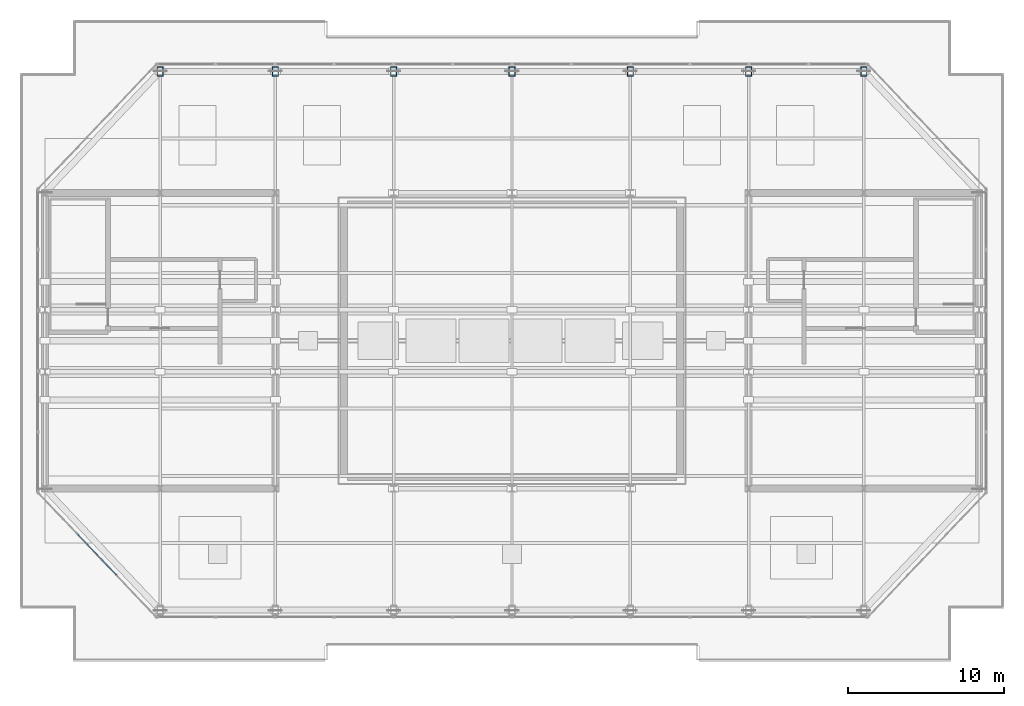
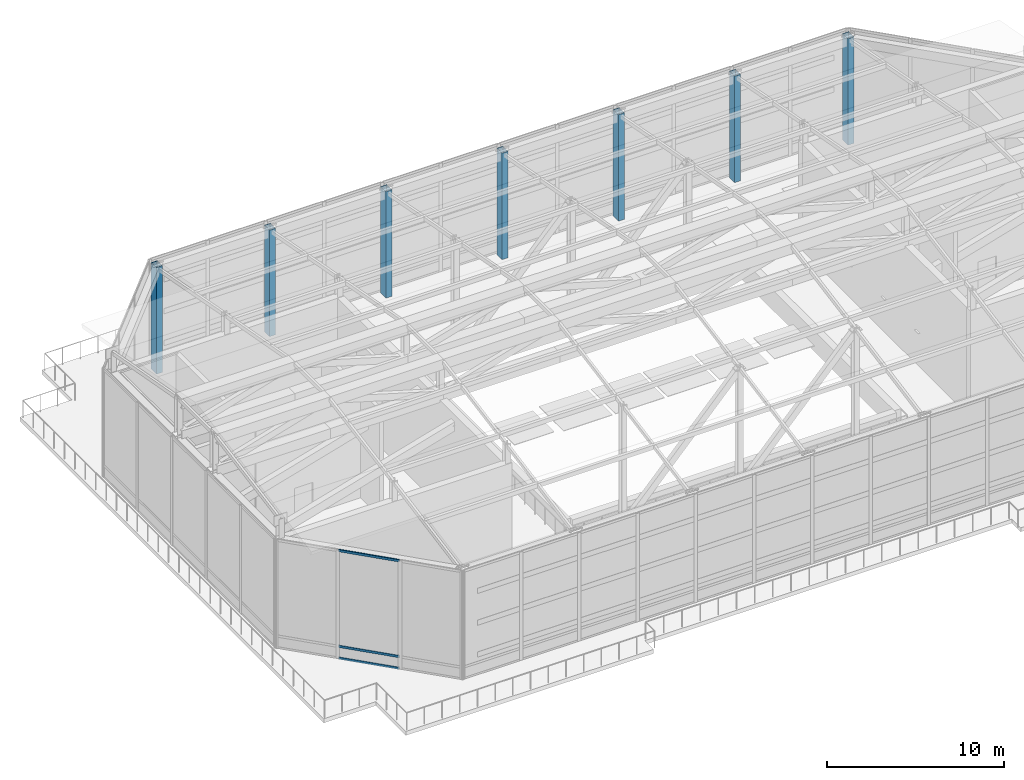
# One storey, part 3 of 25: 7 columns, 3 members, 1 element without a shape of its own.
"""IFC4 building model written with IfcOpenShell, lengths in metres."""

from ifc_helpers import new_model, si_unit, direction, frame, origin, origin_2d, place, context, subcontext, project, spatial, hollow_rectangle, extrude, source, transform, mapped, material, layer, layer_set, material_profile, profile_set, type_object, type_shapes, element, aggregate, save


model = new_model("IFC4")

# Units and contexts
model_context = context("Model", 3, precision=1e-05, world=origin(), true_north=direction((0.0, 1.0)))
body_context = subcontext(model_context, "Body", "Model", "MODEL_VIEW")
ifc_project = project(units=[si_unit("LENGTHUNIT", "METRE"), si_unit("AREAUNIT", "SQUARE_METRE"), si_unit("VOLUMEUNIT", "CUBIC_METRE"), si_unit("PLANEANGLEUNIT", "RADIAN"), si_unit("MASSUNIT", "GRAM", prefix="KILO")], contexts=[model_context])

# Site, building, storey
site_placement = place(None, origin())
site = spatial("IfcSite", under=ifc_project, at=site_placement, CompositionType="ELEMENT")
building_placement = place(site_placement, origin())
building = spatial("IfcBuilding", under=site, at=building_placement, Name="Haelvirn Gate Laboratories", CompositionType="ELEMENT")
storey_placement = place(building_placement, frame((0.0, 0.0, 337.800048828125)))
storey = spatial("IfcBuildingStorey", under=building, at=storey_placement, Name="RF", CompositionType="ELEMENT", Elevation=337.800048828125)

# Columns
ifc_material_1 = material(Name="Steel SM420", Category="steel")
ifc_material_profile_1 = material_profile(ifc_material_1, hollow_rectangle(XDim=0.39990234375, YDim=0.60009765625, WallThickness=0.02490234375, at=origin_2d()), Name="BOX-600x400x25")
ifc_profile_set_1 = profile_set([ifc_material_profile_1], Name="Steel SM420")
column_type = type_object("IfcColumnType", Name="COL-CROWN", PredefinedType="USERDEFINED", material=ifc_profile_set_1)
shared_shape_1 = source(origin(), body_context, "Body", "SweptSolid", [
    extrude(hollow_rectangle(XDim=0.39990234375, YDim=0.60009765625, WallThickness=0.02490234375, at=origin_2d()), origin(), (0.0, 0.0, 1.0), 7.349853515625),
])
type_shapes(column_type, [shared_shape_1])
for number, where, z_axis, x_axis, name in (
    (1, (14.800048828125, 41.60009765625, 0.0), (0.0, 0.0, 1.0), (1.0, 0.0, 0.0), "RF Crown Ring Column N1"),
    (2, (22.199951171875, 41.60009765625, 0.0), (0.0, 0.0, 1.0), (1.0, 0.0, 0.0), "RF Crown Ring Column N2"),
    (3, (29.800048828125, 41.60009765625, 0.0), (0.0, 0.0, 1.0), (1.0, 0.0, 0.0), "RF Crown Ring Column N3"),
    (4, (37.39990234375, 41.60009765625, 0.0), (0.0, 0.0, 1.0), (1.0, 0.0, 0.0), "RF Crown Ring Column N4"),
    (5, (45.0, 41.60009765625, 0.0), (0.0, 0.0, 1.0), (1.0, 0.0, 0.0), "RF Crown Ring Column N5"),
    (6, (52.60009765625, 41.60009765625, 0.0), (0.0, 0.0, 1.0), (1.0, 0.0, 0.0), "RF Crown Ring Column N6"),
    (7, (60.0, 41.60009765625, 0.0), (0.0, 0.0, 1.0), (1.0, 0.0, 0.0), "RF Crown Ring Column N7"),
):
    element("IfcColumn", number, at=place(storey_placement, frame(where, z_axis=z_axis, x_axis=x_axis)), inside=storey, type_object=column_type, Name=name, ObjectType="CROWN FRAME", PredefinedType="USERDEFINED", context=body_context, shape_type="MappedRepresentation", body=[
        mapped(shared_shape_1, transform((0.0, 0.0, 0.0), scale=1.0)),
    ])

# Curtain wall, members
ifc_material_2 = material(Name="Anodised bronze unitised aluminium & triple low-E glass", Category="aluminium")
ifc_layer = layer(ifc_material_2, 0.19189453125, Name="CW-SYS-6")
ifc_layer_set = layer_set([ifc_layer], Name="Anodised bronze unitised aluminium & triple low-E glass")
curtain_wall_type = type_object("IfcCurtainWallType", Name="CW-SYS-6", PredefinedType="NOTDEFINED", material=ifc_layer_set)
curtain_wall_placement = place(storey_placement, origin())
curtain_wall = element("IfcCurtainWall", 8, at=curtain_wall_placement, inside=storey, type_object=curtain_wall_type, Name="RF Unitised Curtain Wall CW-RF-RING-07", PredefinedType="NOTDEFINED")
ifc_material_3 = material(Name="Extruded aluminium 6063-T6 (anodised bronze)", Category="aluminium")
ifc_material_profile_2 = material_profile(ifc_material_3, hollow_rectangle(XDim=0.070068359375, YDim=0.159912109375, WallThickness=0.0048828125, at=origin_2d()), Name="CWT-160x70x5")
ifc_profile_set_2 = profile_set([ifc_material_profile_2], Name="Extruded aluminium 6063-T6 (anodised bronze)")
member_type = type_object("IfcMemberType", Name="CWT-T160", PredefinedType="USERDEFINED", material=ifc_profile_set_2)
shared_shape_2 = source(origin(), body_context, "Body", "SweptSolid", [
    extrude(hollow_rectangle(XDim=0.070068359375, YDim=0.159912109375, WallThickness=0.0048828125, at=origin_2d()), origin(), (0.0, 0.0, 1.0), 3.597900390625),
])
type_shapes(member_type, [shared_shape_2])
member_1_placement = place(storey_placement, frame((9.510986328125, 11.854248046875, 0.034912109375), z_axis=(0.68872271199, -0.725024845085, 0.0), x_axis=(0.725024845085, 0.68872271199, 0.0)))
member_1 = element("IfcMember", 9, at=member_1_placement, type_object=member_type, Name="CW6 transom 2.1", ObjectType="TRANSOM", PredefinedType="USERDEFINED", context=body_context, shape_type="MappedRepresentation", body=[
    mapped(shared_shape_2, transform((0.0, 0.0, 0.0), scale=1.0)),
])
member_2_placement = place(storey_placement, frame((9.510986328125, 11.854248046875, 0.849853515625), z_axis=(0.68872271199, -0.725024845085, 0.0), x_axis=(0.725024845085, 0.68872271199, 0.0)))
member_2 = element("IfcMember", 10, at=member_2_placement, type_object=member_type, Name="CW6 transom 2.2", ObjectType="TRANSOM", PredefinedType="USERDEFINED", context=body_context, shape_type="MappedRepresentation", body=[
    mapped(shared_shape_2, transform((0.0, 0.0, 0.0), scale=1.0)),
])
member_3_placement = place(storey_placement, frame((9.510986328125, 11.854248046875, 7.46484375), z_axis=(0.68872271199, -0.725024845085, 0.0), x_axis=(0.725024845085, 0.68872271199, 0.0)))
member_3 = element("IfcMember", 11, at=member_3_placement, type_object=member_type, Name="CW6 transom 2.3", ObjectType="TRANSOM", PredefinedType="USERDEFINED", context=body_context, shape_type="MappedRepresentation", body=[
    mapped(shared_shape_2, transform((0.0, 0.0, 0.0), scale=1.0)),
])
aggregate(curtain_wall, [member_1, member_2, member_3])

save(model, "model.ifc")
